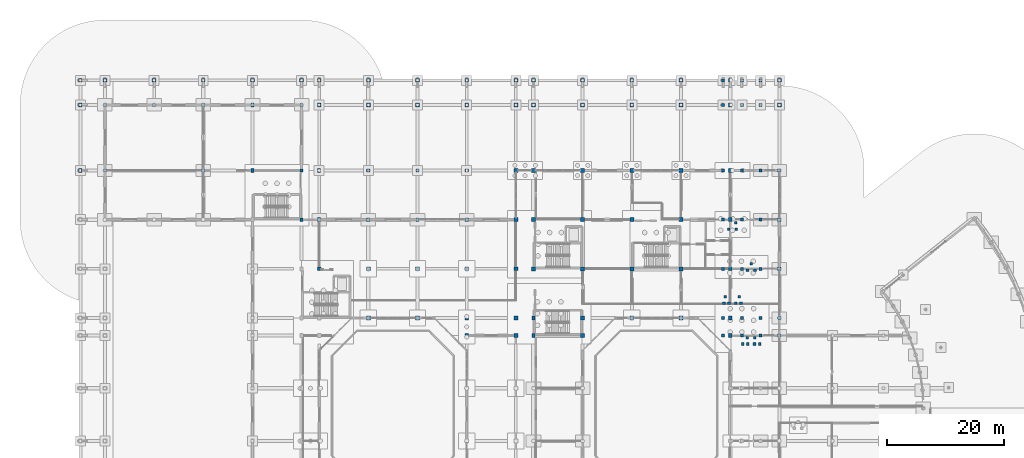
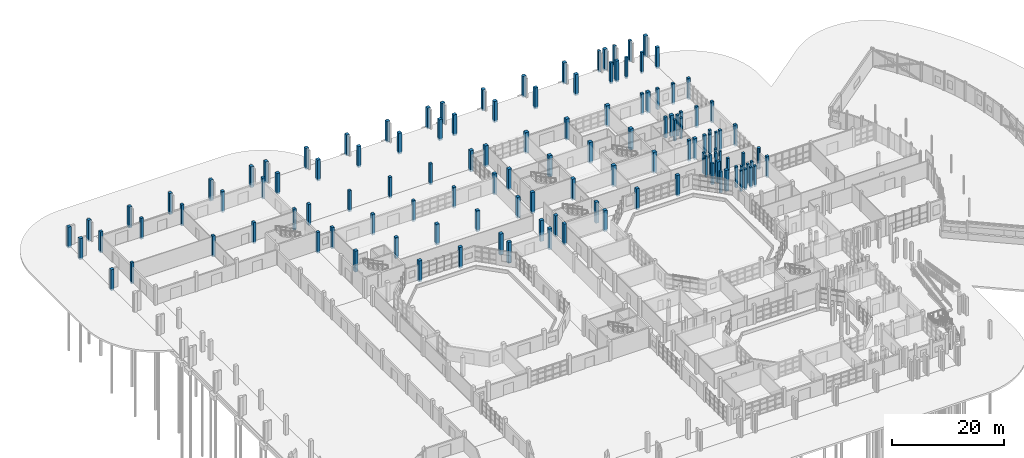
# One storey, part 10 of 88: 128 columns.
"""IFC4 building model written with IfcOpenShell, lengths in metres."""

from ifc_helpers import new_model, si_unit, direction, frame, origin, origin_2d, place, context, subcontext, project, spatial, rectangle, circle, extrude, material, material_profile, profile_set, type_object, element, save


model = new_model("IFC4")

# Units and contexts
model_context = context("Model", 3, precision=1e-05, world=origin(), true_north=direction((0.0, 1.0)))
body_context = subcontext(model_context, "Body", "Model", "MODEL_VIEW")
ifc_project = project(units=[si_unit("LENGTHUNIT", "METRE"), si_unit("AREAUNIT", "SQUARE_METRE"), si_unit("VOLUMEUNIT", "CUBIC_METRE"), si_unit("PLANEANGLEUNIT", "RADIAN"), si_unit("MASSUNIT", "GRAM", prefix="KILO")], contexts=[model_context])

# Site, building, storey
site_placement = place(None, origin())
site = spatial("IfcSite", under=ifc_project, at=site_placement, CompositionType="ELEMENT")
building_placement = place(site_placement, origin())
building = spatial("IfcBuilding", under=site, at=building_placement, Name="Vanh Quang Courtyard School", CompositionType="ELEMENT")
storey_placement = place(building_placement, origin())
storey = spatial("IfcBuildingStorey", under=building, at=storey_placement, Name="L00", CompositionType="ELEMENT", Elevation=0.0)

# Columns
ifc_material = material(Name="Concrete C35/45", Category="concrete")
ifc_material_profile_1 = material_profile(ifc_material, rectangle(XDim=0.449951171875, YDim=0.449951171875, at=origin_2d()), Name="RC-COL 450x450")
ifc_profile_set_1 = profile_set([ifc_material_profile_1], Name="Concrete C35/45")
column_type_1 = type_object("IfcColumnType", Name="COL-RC-450", PredefinedType="COLUMN", material=ifc_profile_set_1)
for number, where, z_axis, x_axis, name in (
    (1, (113.949951171875, 79.550048828125, -0.39990234375), (0.0, 0.0, 1.0), (1.0, 0.0, 0.0), "Column C-06 (L00)"),
    (2, (115.25, 79.550048828125, -0.39990234375), (0.0, 0.0, 1.0), (1.0, 0.0, 0.0), "Column C-06 (L00)"),
    (3, (114.60009765625, 80.64990234375, -0.39990234375), (0.0, 0.0, 1.0), (1.0, 0.0, 0.0), "Column C-06 (L00)"),
    (4, (115.14990234375, 66.949951171875, -0.39990234375), (0.0, 0.0, 1.0), (1.0, 0.0, 0.0), "Column C-06 (L00)"),
    (5, (116.050048828125, 66.949951171875, -0.39990234375), (0.0, 0.0, 1.0), (1.0, 0.0, 0.0), "Column C-06 (L00)"),
    (6, (115.199951171875, 68.050048828125, -0.39990234375), (0.0, 0.0, 1.0), (1.0, 0.0, 0.0), "Column C-06 (L00)"),
    (7, (113.14990234375, 66.949951171875, -0.39990234375), (0.0, 0.0, 1.0), (1.0, 0.0, 0.0), "Column C-06 (L00)"),
    (8, (114.0, 66.949951171875, -0.39990234375), (0.0, 0.0, 1.0), (1.0, 0.0, 0.0), "Column C-06 (L00)"),
    (9, (113.89990234375, 68.050048828125, -0.39990234375), (0.0, 0.0, 1.0), (1.0, 0.0, 0.0), "Column C-06 (L00)"),
    (10, (110.75, 86.550048828125, -0.39990234375), (0.0, 0.0, 1.0), (1.0, 0.0, 0.0), "Column C-06 (L00)"),
    (11, (112.050048828125, 86.550048828125, -0.39990234375), (0.0, 0.0, 1.0), (1.0, 0.0, 0.0), "Column C-06 (L00)"),
    (12, (111.949951171875, 87.64990234375, -0.39990234375), (0.0, 0.0, 1.0), (1.0, 0.0, 0.0), "Column C-06 (L00)"),
    (13, (111.949951171875, 73.949951171875, -0.39990234375), (0.0, 0.0, 1.0), (1.0, 0.0, 0.0), "Column C-06 (L00)"),
    (14, (112.85009765625, 73.949951171875, -0.39990234375), (0.0, 0.0, 1.0), (1.0, 0.0, 0.0), "Column C-06 (L00)"),
    (15, (112.550048828125, 75.050048828125, -0.39990234375), (0.0, 0.0, 1.0), (1.0, 0.0, 0.0), "Column C-06 (L00)"),
    (16, (109.949951171875, 73.949951171875, -0.39990234375), (0.0, 0.0, 1.0), (1.0, 0.0, 0.0), "Column C-06 (L00)"),
    (17, (110.800048828125, 73.949951171875, -0.39990234375), (0.0, 0.0, 1.0), (1.0, 0.0, 0.0), "Column C-06 (L00)"),
    (18, (110.14990234375, 75.050048828125, -0.39990234375), (0.0, 0.0, 1.0), (1.0, 0.0, 0.0), "Column C-06 (L00)"),
):
    element("IfcColumn", number, at=place(storey_placement, frame(where, z_axis=z_axis, x_axis=x_axis)), inside=storey, type_object=column_type_1, Name=name, PredefinedType="COLUMN", context=body_context, shape_type="SweptSolid", body=[
        extrude(rectangle(XDim=0.449951171875, YDim=0.449951171875, at=origin_2d()), origin(), (0.0, 0.0, 1.0), 4.599853515625),
    ])
ifc_material_profile_2 = material_profile(ifc_material, rectangle(XDim=0.5, YDim=0.5, at=origin_2d()), Name="RC-COL 500x500")
ifc_profile_set_2 = profile_set([ifc_material_profile_2], Name="Concrete C35/45")
column_type_2 = type_object("IfcColumnType", Name="COL-RC-500", PredefinedType="COLUMN", material=ifc_profile_set_2)
for number, where, z_axis, x_axis, name in (
    (19, (116.199951171875, 68.39990234375, -0.39990234375), (0.0, 0.0, 1.0), (1.0, 0.0, 0.0), "Column C-05 (L00)"),
    (20, (116.199951171875, 71.39990234375, -0.39990234375), (0.0, 0.0, 1.0), (1.0, 0.0, 0.0), "Column C-05 (L00)"),
    (21, (116.199951171875, 79.800048828125, -0.39990234375), (0.0, 0.0, 1.0), (1.0, 0.0, 0.0), "Column C-05 (L00)"),
    (22, (116.199951171875, 88.199951171875, -0.39990234375), (0.0, 0.0, 1.0), (1.0, 0.0, 0.0), "Column C-05 (L00)"),
    (23, (116.199951171875, 96.60009765625, -0.39990234375), (0.0, 0.0, 1.0), (1.0, 0.0, 0.0), "Column C-05 (L00)"),
    (24, (116.199951171875, 107.800048828125, -0.39990234375), (0.0, 0.0, 1.0), (1.0, 0.0, 0.0), "Column C-05 (L00)"),
    (25, (116.199951171875, 112.0, -0.39990234375), (0.0, 0.0, 1.0), (1.0, 0.0, 0.0), "Column C-05 (L00)"),
    (26, (113.0, 68.39990234375, -0.39990234375), (0.0, 0.0, 1.0), (1.0, 0.0, 0.0), "Column C-05 (L00)"),
    (27, (113.0, 71.39990234375, -0.39990234375), (0.0, 0.0, 1.0), (1.0, 0.0, 0.0), "Column C-05 (L00)"),
    (28, (113.0, 79.800048828125, -0.39990234375), (0.0, 0.0, 1.0), (1.0, 0.0, 0.0), "Column C-05 (L00)"),
    (29, (113.0, 88.199951171875, -0.39990234375), (0.0, 0.0, 1.0), (1.0, 0.0, 0.0), "Column C-05 (L00)"),
    (30, (113.0, 96.60009765625, -0.39990234375), (0.0, 0.0, 1.0), (1.0, 0.0, 0.0), "Column C-05 (L00)"),
    (31, (113.0, 107.800048828125, -0.39990234375), (0.0, 0.0, 1.0), (1.0, 0.0, 0.0), "Column C-05 (L00)"),
    (32, (113.0, 112.0, -0.39990234375), (0.0, 0.0, 1.0), (1.0, 0.0, 0.0), "Column C-05 (L00)"),
    (33, (109.800048828125, 68.39990234375, -0.39990234375), (0.0, 0.0, 1.0), (1.0, 0.0, 0.0), "Column C-05 (L00)"),
    (34, (109.800048828125, 71.39990234375, -0.39990234375), (0.0, 0.0, 1.0), (1.0, 0.0, 0.0), "Column C-05 (L00)"),
    (35, (109.800048828125, 79.800048828125, -0.39990234375), (0.0, 0.0, 1.0), (1.0, 0.0, 0.0), "Column C-05 (L00)"),
    (36, (109.800048828125, 88.199951171875, -0.39990234375), (0.0, 0.0, 1.0), (1.0, 0.0, 0.0), "Column C-05 (L00)"),
    (37, (109.800048828125, 96.60009765625, -0.39990234375), (0.0, 0.0, 1.0), (1.0, 0.0, 0.0), "Column C-05 (L00)"),
    (38, (109.800048828125, 107.800048828125, -0.39990234375), (0.0, 0.0, 1.0), (1.0, 0.0, 0.0), "Column C-05 (L00)"),
    (39, (109.800048828125, 112.0, -0.39990234375), (0.0, 0.0, 1.0), (1.0, 0.0, 0.0), "Column C-05 (L00)"),
):
    element("IfcColumn", number, at=place(storey_placement, frame(where, z_axis=z_axis, x_axis=x_axis)), inside=storey, type_object=column_type_2, Name=name, PredefinedType="COLUMN", context=body_context, shape_type="SweptSolid", body=[
        extrude(rectangle(XDim=0.5, YDim=0.5, at=origin_2d()), origin(), (0.0, 0.0, 1.0), 4.599853515625),
    ])
ifc_material_profile_3 = material_profile(ifc_material, rectangle(XDim=0.5, YDim=0.64990234375, at=origin_2d()), Name="RC-COL 500x650")
ifc_profile_set_3 = profile_set([ifc_material_profile_3], Name="Concrete C35/45")
column_type_3 = type_object("IfcColumnType", Name="COL-RC-500x650", PredefinedType="COLUMN", material=ifc_profile_set_3)
for number, where, z_axis, x_axis, name in (
    (40, (29.39990234375, 96.60009765625, -0.39990234375), (0.0, 0.0, 1.0), (1.0, 0.0, 0.0), "Column C-07 (L00)"),
    (41, (29.39990234375, 107.800048828125, -0.39990234375), (0.0, 0.0, 1.0), (1.0, 0.0, 0.0), "Column C-07 (L00)"),
    (42, (40.800048828125, 88.199951171875, -0.39990234375), (0.0, 0.0, 1.0), (1.0, 0.0, 0.0), "Column C-07 (L00)"),
    (43, (40.800048828125, 96.60009765625, -0.39990234375), (0.0, 0.0, 1.0), (1.0, 0.0, 0.0), "Column C-07 (L00)"),
):
    element("IfcColumn", number, at=place(storey_placement, frame(where, z_axis=z_axis, x_axis=x_axis)), inside=storey, type_object=column_type_3, Name=name, PredefinedType="COLUMN", context=body_context, shape_type="SweptSolid", body=[
        extrude(rectangle(XDim=0.5, YDim=0.64990234375, at=origin_2d()), origin(), (0.0, 0.0, 1.0), 4.599853515625),
    ])
ifc_material_profile_4 = material_profile(ifc_material, rectangle(XDim=0.550048828125, YDim=0.550048828125, at=origin_2d()), Name="RC-COL 550x550")
ifc_profile_set_4 = profile_set([ifc_material_profile_4], Name="Concrete C35/45")
column_type_4 = type_object("IfcColumnType", Name="COL-RC-550", PredefinedType="COLUMN", material=ifc_profile_set_4)
for number, where, z_axis, x_axis, name in (
    (44, (4.199951171875, 96.60009765625, -0.39990234375), (0.0, 0.0, 1.0), (1.0, 0.0, 0.0), "Column C-04 (L00)"),
    (45, (4.199951171875, 107.800048828125, -0.39990234375), (0.0, 0.0, 1.0), (1.0, 0.0, 0.0), "Column C-04 (L00)"),
    (46, (12.60009765625, 107.800048828125, -0.39990234375), (0.0, 0.0, 1.0), (1.0, 0.0, 0.0), "Column C-04 (L00)"),
    (47, (21.0, 96.60009765625, -0.39990234375), (0.0, 0.0, 1.0), (1.0, 0.0, 0.0), "Column C-04 (L00)"),
    (48, (21.0, 107.800048828125, -0.39990234375), (0.0, 0.0, 1.0), (1.0, 0.0, 0.0), "Column C-04 (L00)"),
    (49, (37.800048828125, 88.199951171875, -0.39990234375), (0.0, 0.0, 1.0), (1.0, 0.0, 0.0), "Column C-04 (L00)"),
    (50, (37.800048828125, 96.60009765625, -0.39990234375), (0.0, 0.0, 1.0), (1.0, 0.0, 0.0), "Column C-04 (L00)"),
    (51, (37.800048828125, 107.800048828125, -0.39990234375), (0.0, 0.0, 1.0), (1.0, 0.0, 0.0), "Column C-04 (L00)"),
    (52, (49.199951171875, 88.199951171875, -0.39990234375), (0.0, 0.0, 1.0), (1.0, 0.0, 0.0), "Column C-04 (L00)"),
    (53, (49.199951171875, 96.60009765625, -0.39990234375), (0.0, 0.0, 1.0), (1.0, 0.0, 0.0), "Column C-04 (L00)"),
    (54, (57.60009765625, 88.199951171875, -0.39990234375), (0.0, 0.0, 1.0), (1.0, 0.0, 0.0), "Column C-04 (L00)"),
    (55, (57.60009765625, 96.60009765625, -0.39990234375), (0.0, 0.0, 1.0), (1.0, 0.0, 0.0), "Column C-04 (L00)"),
    (56, (66.0, 88.199951171875, -0.39990234375), (0.0, 0.0, 1.0), (1.0, 0.0, 0.0), "Column C-04 (L00)"),
    (57, (66.0, 96.60009765625, -0.39990234375), (0.0, 0.0, 1.0), (1.0, 0.0, 0.0), "Column C-04 (L00)"),
    (58, (119.39990234375, 68.39990234375, -0.39990234375), (0.0, 0.0, 1.0), (1.0, 0.0, 0.0), "Column C-04 (L00)"),
    (59, (119.39990234375, 79.800048828125, -0.39990234375), (0.0, 0.0, 1.0), (1.0, 0.0, 0.0), "Column C-04 (L00)"),
    (60, (119.39990234375, 88.199951171875, -0.39990234375), (0.0, 0.0, 1.0), (1.0, 0.0, 0.0), "Column C-04 (L00)"),
    (61, (119.39990234375, 96.60009765625, -0.39990234375), (0.0, 0.0, 1.0), (1.0, 0.0, 0.0), "Column C-04 (L00)"),
):
    element("IfcColumn", number, at=place(storey_placement, frame(where, z_axis=z_axis, x_axis=x_axis)), inside=storey, type_object=column_type_4, Name=name, PredefinedType="COLUMN", context=body_context, shape_type="SweptSolid", body=[
        extrude(rectangle(XDim=0.550048828125, YDim=0.550048828125, at=origin_2d()), origin(), (0.0, 0.0, 1.0), 4.599853515625),
    ])
ifc_material_profile_5 = material_profile(ifc_material, rectangle(XDim=0.550048828125, YDim=0.699951171875, at=origin_2d()), Name="RC-COL 550x700")
ifc_profile_set_5 = profile_set([ifc_material_profile_5], Name="Concrete C35/45")
column_type_5 = type_object("IfcColumnType", Name="COL-RC-550x700", PredefinedType="COLUMN", material=ifc_profile_set_5)
for number, where, z_axis, x_axis, name in (
    (62, (77.39990234375, 68.39990234375, -0.39990234375), (0.0, 0.0, 1.0), (1.0, 0.0, 0.0), "Column C-08 (L00)"),
    (63, (77.39990234375, 71.39990234375, -0.39990234375), (0.0, 0.0, 1.0), (1.0, 0.0, 0.0), "Column C-08 (L00)"),
):
    element("IfcColumn", number, at=place(storey_placement, frame(where, z_axis=z_axis, x_axis=x_axis)), inside=storey, type_object=column_type_5, Name=name, PredefinedType="COLUMN", context=body_context, shape_type="SweptSolid", body=[
        extrude(rectangle(XDim=0.550048828125, YDim=0.699951171875, at=origin_2d()), origin(), (0.0, 0.0, 1.0), 4.599853515625),
    ])
ifc_material_profile_6 = material_profile(ifc_material, rectangle(XDim=0.64990234375, YDim=0.64990234375, at=origin_2d()), Name="RC-COL 650x650")
ifc_profile_set_6 = profile_set([ifc_material_profile_6], Name="Concrete C35/45")
column_type_6 = type_object("IfcColumnType", Name="COL-RC-650", PredefinedType="COLUMN", material=ifc_profile_set_6)
for number, where, z_axis, x_axis, name in (
    (64, (0.0, 96.60009765625, -0.39990234375), (0.0, 0.0, 1.0), (1.0, 0.0, 0.0), "Column C-02 (L00)"),
    (65, (0.0, 107.800048828125, -0.39990234375), (0.0, 0.0, 1.0), (1.0, 0.0, 0.0), "Column C-02 (L00)"),
    (66, (0.0, 112.0, -0.39990234375), (0.0, 0.0, 1.0), (1.0, 0.0, 0.0), "Column C-02 (L00)"),
    (67, (4.199951171875, 112.0, -0.39990234375), (0.0, 0.0, 1.0), (1.0, 0.0, 0.0), "Column C-02 (L00)"),
    (68, (12.60009765625, 112.0, -0.39990234375), (0.0, 0.0, 1.0), (1.0, 0.0, 0.0), "Column C-02 (L00)"),
    (69, (21.0, 112.0, -0.39990234375), (0.0, 0.0, 1.0), (1.0, 0.0, 0.0), "Column C-02 (L00)"),
    (70, (29.39990234375, 112.0, -0.39990234375), (0.0, 0.0, 1.0), (1.0, 0.0, 0.0), "Column C-02 (L00)"),
    (71, (37.800048828125, 112.0, -0.39990234375), (0.0, 0.0, 1.0), (1.0, 0.0, 0.0), "Column C-02 (L00)"),
    (72, (40.800048828125, 79.800048828125, -0.39990234375), (0.0, 0.0, 1.0), (1.0, 0.0, 0.0), "Column C-02 (L00)"),
    (73, (40.800048828125, 107.800048828125, -0.39990234375), (0.0, 0.0, 1.0), (1.0, 0.0, 0.0), "Column C-02 (L00)"),
    (74, (40.800048828125, 112.0, -0.39990234375), (0.0, 0.0, 1.0), (1.0, 0.0, 0.0), "Column C-02 (L00)"),
    (75, (49.199951171875, 71.39990234375, -0.39990234375), (0.0, 0.0, 1.0), (1.0, 0.0, 0.0), "Column C-02 (L00)"),
    (76, (49.199951171875, 79.800048828125, -0.39990234375), (0.0, 0.0, 1.0), (1.0, 0.0, 0.0), "Column C-02 (L00)"),
    (77, (49.199951171875, 107.800048828125, -0.39990234375), (0.0, 0.0, 1.0), (1.0, 0.0, 0.0), "Column C-02 (L00)"),
    (78, (49.199951171875, 112.0, -0.39990234375), (0.0, 0.0, 1.0), (1.0, 0.0, 0.0), "Column C-02 (L00)"),
    (79, (57.60009765625, 71.39990234375, -0.39990234375), (0.0, 0.0, 1.0), (1.0, 0.0, 0.0), "Column C-02 (L00)"),
    (80, (57.60009765625, 79.800048828125, -0.39990234375), (0.0, 0.0, 1.0), (1.0, 0.0, 0.0), "Column C-02 (L00)"),
    (81, (57.60009765625, 107.800048828125, -0.39990234375), (0.0, 0.0, 1.0), (1.0, 0.0, 0.0), "Column C-02 (L00)"),
    (82, (57.60009765625, 112.0, -0.39990234375), (0.0, 0.0, 1.0), (1.0, 0.0, 0.0), "Column C-02 (L00)"),
    (83, (66.0, 68.39990234375, -0.39990234375), (0.0, 0.0, 1.0), (1.0, 0.0, 0.0), "Column C-02 (L00)"),
    (84, (66.0, 71.39990234375, -0.39990234375), (0.0, 0.0, 1.0), (1.0, 0.0, 0.0), "Column C-02 (L00)"),
    (85, (66.0, 79.800048828125, -0.39990234375), (0.0, 0.0, 1.0), (1.0, 0.0, 0.0), "Column C-02 (L00)"),
    (86, (66.0, 107.800048828125, -0.39990234375), (0.0, 0.0, 1.0), (1.0, 0.0, 0.0), "Column C-02 (L00)"),
    (87, (66.0, 112.0, -0.39990234375), (0.0, 0.0, 1.0), (1.0, 0.0, 0.0), "Column C-02 (L00)"),
    (88, (74.39990234375, 68.39990234375, -0.39990234375), (0.0, 0.0, 1.0), (1.0, 0.0, 0.0), "Column C-02 (L00)"),
    (89, (74.39990234375, 71.39990234375, -0.39990234375), (0.0, 0.0, 1.0), (1.0, 0.0, 0.0), "Column C-02 (L00)"),
    (90, (74.39990234375, 79.800048828125, -0.39990234375), (0.0, 0.0, 1.0), (1.0, 0.0, 0.0), "Column C-02 (L00)"),
    (91, (74.39990234375, 88.199951171875, -0.39990234375), (0.0, 0.0, 1.0), (1.0, 0.0, 0.0), "Column C-02 (L00)"),
    (92, (74.39990234375, 96.60009765625, -0.39990234375), (0.0, 0.0, 1.0), (1.0, 0.0, 0.0), "Column C-02 (L00)"),
    (93, (74.39990234375, 107.800048828125, -0.39990234375), (0.0, 0.0, 1.0), (1.0, 0.0, 0.0), "Column C-02 (L00)"),
    (94, (74.39990234375, 112.0, -0.39990234375), (0.0, 0.0, 1.0), (1.0, 0.0, 0.0), "Column C-02 (L00)"),
    (95, (77.39990234375, 107.800048828125, -0.39990234375), (0.0, 0.0, 1.0), (1.0, 0.0, 0.0), "Column C-02 (L00)"),
    (96, (77.39990234375, 112.0, -0.39990234375), (0.0, 0.0, 1.0), (1.0, 0.0, 0.0), "Column C-02 (L00)"),
    (97, (85.800048828125, 68.39990234375, -0.39990234375), (0.0, 0.0, 1.0), (1.0, 0.0, 0.0), "Column C-02 (L00)"),
    (98, (85.800048828125, 71.39990234375, -0.39990234375), (0.0, 0.0, 1.0), (1.0, 0.0, 0.0), "Column C-02 (L00)"),
    (99, (85.800048828125, 107.800048828125, -0.39990234375), (0.0, 0.0, 1.0), (1.0, 0.0, 0.0), "Column C-02 (L00)"),
    (100, (85.800048828125, 112.0, -0.39990234375), (0.0, 0.0, 1.0), (1.0, 0.0, 0.0), "Column C-02 (L00)"),
    (101, (94.199951171875, 71.39990234375, -0.39990234375), (0.0, 0.0, 1.0), (1.0, 0.0, 0.0), "Column C-02 (L00)"),
    (102, (94.199951171875, 107.800048828125, -0.39990234375), (0.0, 0.0, 1.0), (1.0, 0.0, 0.0), "Column C-02 (L00)"),
    (103, (94.199951171875, 112.0, -0.39990234375), (0.0, 0.0, 1.0), (1.0, 0.0, 0.0), "Column C-02 (L00)"),
    (104, (102.60009765625, 71.39990234375, -0.39990234375), (0.0, 0.0, 1.0), (1.0, 0.0, 0.0), "Column C-02 (L00)"),
    (105, (102.60009765625, 107.800048828125, -0.39990234375), (0.0, 0.0, 1.0), (1.0, 0.0, 0.0), "Column C-02 (L00)"),
    (106, (102.60009765625, 112.0, -0.39990234375), (0.0, 0.0, 1.0), (1.0, 0.0, 0.0), "Column C-02 (L00)"),
    (107, (111.0, 68.39990234375, -0.39990234375), (0.0, 0.0, 1.0), (1.0, 0.0, 0.0), "Column C-02 (L00)"),
    (108, (111.0, 71.39990234375, -0.39990234375), (0.0, 0.0, 1.0), (1.0, 0.0, 0.0), "Column C-02 (L00)"),
    (109, (111.0, 79.800048828125, -0.39990234375), (0.0, 0.0, 1.0), (1.0, 0.0, 0.0), "Column C-02 (L00)"),
    (110, (111.0, 88.199951171875, -0.39990234375), (0.0, 0.0, 1.0), (1.0, 0.0, 0.0), "Column C-02 (L00)"),
    (111, (111.0, 96.60009765625, -0.39990234375), (0.0, 0.0, 1.0), (1.0, 0.0, 0.0), "Column C-02 (L00)"),
    (112, (111.0, 107.800048828125, -0.39990234375), (0.0, 0.0, 1.0), (1.0, 0.0, 0.0), "Column C-02 (L00)"),
    (113, (111.0, 112.0, -0.39990234375), (0.0, 0.0, 1.0), (1.0, 0.0, 0.0), "Column C-02 (L00)"),
    (114, (119.39990234375, 107.800048828125, -0.39990234375), (0.0, 0.0, 1.0), (1.0, 0.0, 0.0), "Column C-02 (L00)"),
    (115, (119.39990234375, 112.0, -0.39990234375), (0.0, 0.0, 1.0), (1.0, 0.0, 0.0), "Column C-02 (L00)"),
):
    element("IfcColumn", number, at=place(storey_placement, frame(where, z_axis=z_axis, x_axis=x_axis)), inside=storey, type_object=column_type_6, Name=name, PredefinedType="COLUMN", context=body_context, shape_type="SweptSolid", body=[
        extrude(rectangle(XDim=0.64990234375, YDim=0.64990234375, at=origin_2d()), origin(), (0.0, 0.0, 1.0), 4.599853515625),
    ])
ifc_material_profile_7 = material_profile(ifc_material, rectangle(XDim=0.699951171875, YDim=0.699951171875, at=origin_2d()), Name="RC-COL 700x700")
ifc_profile_set_7 = profile_set([ifc_material_profile_7], Name="Concrete C35/45")
column_type_7 = type_object("IfcColumnType", Name="COL-RC-700", PredefinedType="COLUMN", material=ifc_profile_set_7)
for number, where, z_axis, x_axis, name in (
    (116, (77.39990234375, 79.800048828125, -0.39990234375), (0.0, 0.0, 1.0), (1.0, 0.0, 0.0), "Column C-01 (L00)"),
    (117, (77.39990234375, 88.199951171875, -0.39990234375), (0.0, 0.0, 1.0), (1.0, 0.0, 0.0), "Column C-01 (L00)"),
    (118, (77.39990234375, 96.60009765625, -0.39990234375), (0.0, 0.0, 1.0), (1.0, 0.0, 0.0), "Column C-01 (L00)"),
    (119, (85.800048828125, 79.800048828125, -0.39990234375), (0.0, 0.0, 1.0), (1.0, 0.0, 0.0), "Column C-01 (L00)"),
    (120, (85.800048828125, 88.199951171875, -0.39990234375), (0.0, 0.0, 1.0), (1.0, 0.0, 0.0), "Column C-01 (L00)"),
    (121, (85.800048828125, 96.60009765625, -0.39990234375), (0.0, 0.0, 1.0), (1.0, 0.0, 0.0), "Column C-01 (L00)"),
    (122, (94.199951171875, 79.800048828125, -0.39990234375), (0.0, 0.0, 1.0), (1.0, 0.0, 0.0), "Column C-01 (L00)"),
    (123, (94.199951171875, 88.199951171875, -0.39990234375), (0.0, 0.0, 1.0), (1.0, 0.0, 0.0), "Column C-01 (L00)"),
    (124, (94.199951171875, 96.60009765625, -0.39990234375), (0.0, 0.0, 1.0), (1.0, 0.0, 0.0), "Column C-01 (L00)"),
    (125, (102.60009765625, 79.800048828125, -0.39990234375), (0.0, 0.0, 1.0), (1.0, 0.0, 0.0), "Column C-01 (L00)"),
    (126, (102.60009765625, 88.199951171875, -0.39990234375), (0.0, 0.0, 1.0), (1.0, 0.0, 0.0), "Column C-01 (L00)"),
    (127, (102.60009765625, 96.60009765625, -0.39990234375), (0.0, 0.0, 1.0), (1.0, 0.0, 0.0), "Column C-01 (L00)"),
):
    element("IfcColumn", number, at=place(storey_placement, frame(where, z_axis=z_axis, x_axis=x_axis)), inside=storey, type_object=column_type_7, Name=name, PredefinedType="COLUMN", context=body_context, shape_type="SweptSolid", body=[
        extrude(rectangle(XDim=0.699951171875, YDim=0.699951171875, at=origin_2d()), origin(), (0.0, 0.0, 1.0), 4.599853515625),
    ])
ifc_material_profile_8 = material_profile(ifc_material, circle(Radius=0.324951171875, at=origin_2d()), Name="RC-COL D650")
ifc_profile_set_8 = profile_set([ifc_material_profile_8], Name="Concrete C35/45")
column_type_8 = type_object("IfcColumnType", Name="COL-RC-D650", PredefinedType="COLUMN", material=ifc_profile_set_8)
column_placement = place(storey_placement, frame((119.39990234375, 71.39990234375, -0.39990234375), z_axis=(0.0, 0.0, 1.0), x_axis=(1.0, 0.0, 0.0)))
element("IfcColumn", 128, at=column_placement, inside=storey, type_object=column_type_8, Name="Column C-10 (L00)", PredefinedType="COLUMN", context=body_context, shape_type="SweptSolid", body=[
    extrude(circle(Radius=0.324951171875, at=origin_2d()), origin(), (0.0, 0.0, 1.0), 4.599853515625),
])

save(model, "model.ifc")
